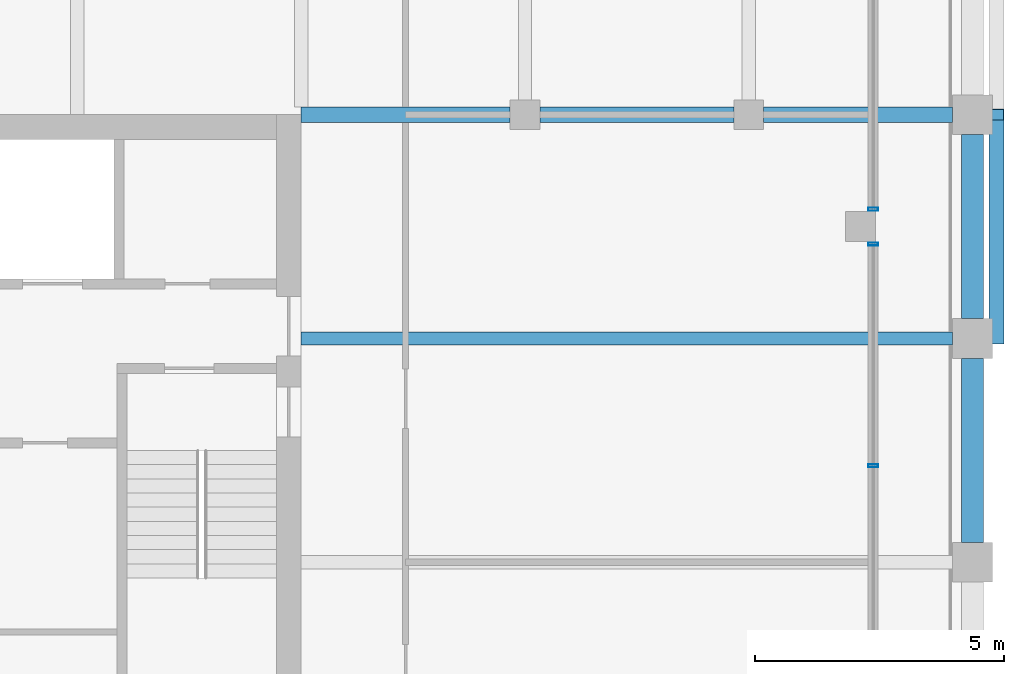
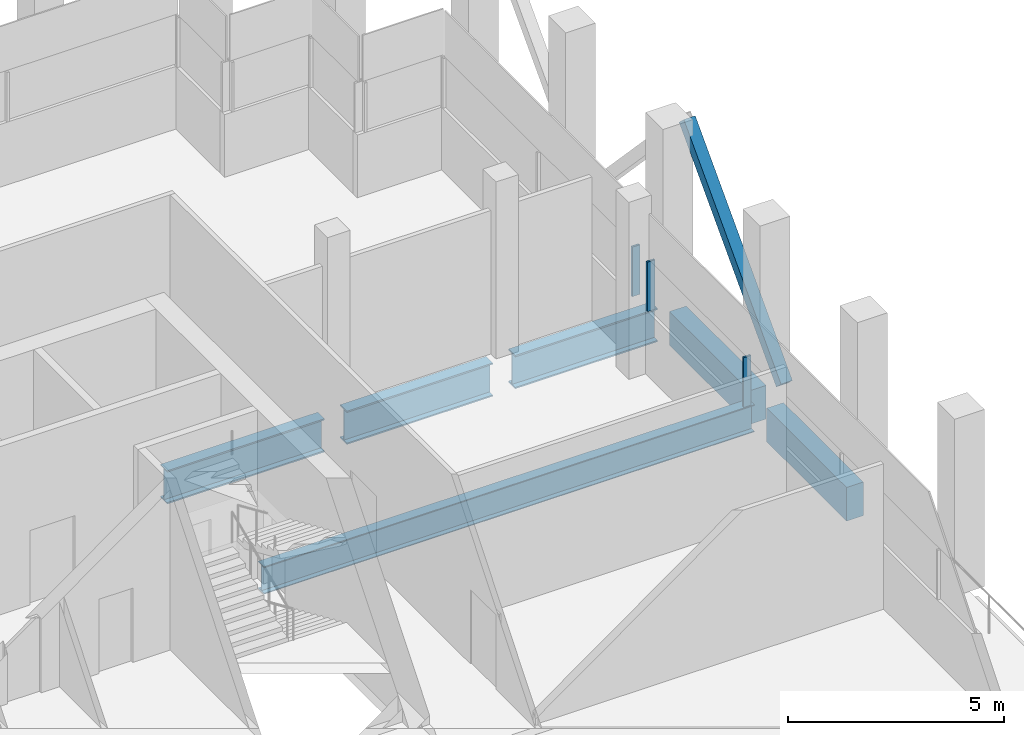
# One storey, part 11 of 21: 6 beams, 4 members, 2 elements without a shape of their own.
"""IFC4 building model written with IfcOpenShell, lengths in metres."""

import ifcopenshell
import ifcopenshell.guid

model = None  # the IFC model being written
_history = None  # IfcOwnerHistory: only IFC2X3 demands one
_inside = {}  # id of a spatial element -> (the spatial element, [elements in it])
_under = {}  # id of a project, library or spatial element -> (it, [spatial elements below it])
_declared = {}  # id of a project -> (the project, [libraries it declares])
_typed = {}  # id of a type object -> (the type object, [elements of that type])
_made_of = {}  # id of a material, layer set ... -> (it, [elements and type objects made of it])


def new_model(schema):
    """Start an empty IFC model of exactly this schema.

    Asked for "IFC4X3", IfcOpenShell would pick the latest addendum, in which some entities
    have other attributes; the version numbers below select the first issue.
    IFC2X3 requires an IfcOwnerHistory on every rooted entity: one is made here for all.
    """
    global model, _history
    if schema == "IFC4X3":
        model = ifcopenshell.file(schema_version=(4, 3, 0, 0))
    else:
        model = ifcopenshell.file(schema=schema)
    _inside.clear()
    _under.clear()
    _declared.clear()
    _typed.clear()
    _made_of.clear()
    _history = None
    if model.schema == "IFC2X3":
        org = make("IfcOrganization", Name="unknown")
        user = make(
            "IfcPersonAndOrganization",
            ThePerson=make("IfcPerson", FamilyName="unknown"),
            TheOrganization=org,
        )
        app = make(
            "IfcApplication",
            ApplicationDeveloper=org,
            Version="unknown",
            ApplicationFullName="unknown",
            ApplicationIdentifier="unknown",
        )
        _history = make(
            "IfcOwnerHistory",
            OwningUser=user,
            OwningApplication=app,
            ChangeAction="ADDED",
            CreationDate=0,
        )
    return model


def make(cls, **values):
    """One entity of the class cls with the attributes given. An attribute that is None is left unset."""
    return model.create_entity(
        cls, **{name: value for name, value in values.items() if value is not None}
    )


def rooted(cls, **values):
    """An entity with a GlobalId (a new one), such as an element, a storey or a relation."""
    return make(cls, GlobalId=ifcopenshell.guid.new(), OwnerHistory=_history, **values)


def si_unit(unit_type, name, prefix=None):
    """IfcSIUnit, for example si_unit("LENGTHUNIT", "METRE", prefix="MILLI")."""
    return make("IfcSIUnit", UnitType=unit_type, Prefix=prefix, Name=name)


def assignment(units):
    """IfcUnitAssignment: the units of a project."""
    return None if units is None else make("IfcUnitAssignment", Units=units)


def point(xyz):
    """IfcCartesianPoint."""
    return None if xyz is None else make("IfcCartesianPoint", Coordinates=xyz)


def direction(xyz):
    """IfcDirection."""
    return None if xyz is None else make("IfcDirection", DirectionRatios=xyz)


def frame(location, z_axis=None, x_axis=None):
    """IfcAxis2Placement3D, a coordinate frame: its origin and axes. An axis left out is left unset."""
    return make(
        "IfcAxis2Placement3D",
        Location=point(location),
        Axis=direction(z_axis),
        RefDirection=direction(x_axis),
    )


def frame_2d(location, x_axis=None):
    """IfcAxis2Placement2D, a coordinate frame in the plane: its origin and x axis."""
    return make(
        "IfcAxis2Placement2D", Location=point(location), RefDirection=direction(x_axis)
    )


def origin():
    """The frame at (0, 0, 0) with its axes left unset."""
    return frame((0.0, 0.0, 0.0))


def origin_2d():
    """The frame at (0, 0) in the plane with its x axis left unset."""
    return frame_2d((0.0, 0.0))


def place(relative_to, where):
    """IfcLocalPlacement: puts the frame where relative to a parent placement (None: the world)."""
    return make(
        "IfcLocalPlacement", PlacementRelTo=relative_to, RelativePlacement=where
    )


def context(
    kind, dimensions, precision=None, world=None, true_north=None, identifier=None
):
    """IfcGeometricRepresentationContext, for example the 3D "Model" context."""
    return make(
        "IfcGeometricRepresentationContext",
        ContextIdentifier=identifier,
        ContextType=kind,
        CoordinateSpaceDimension=dimensions,
        Precision=precision,
        WorldCoordinateSystem=world,
        TrueNorth=true_north,
    )


def subcontext(parent, identifier, kind, view, scale=None):
    """IfcGeometricRepresentationSubContext, for example "Body" below "Model"."""
    return make(
        "IfcGeometricRepresentationSubContext",
        ContextIdentifier=identifier,
        ContextType=kind,
        ParentContext=parent,
        TargetScale=scale,
        TargetView=view,
    )


def project(units=None, contexts=None):
    """IfcProject with its units and contexts."""
    return rooted(
        "IfcProject",
        Name="project",
        RepresentationContexts=contexts,
        UnitsInContext=assignment(units),
    )


def spatial(cls, under=None, at=None, **own):
    """A site, building, storey or space (cls), placed at a placement, below another one or the project."""
    s = rooted(cls, ObjectPlacement=at, **own)
    if under is not None:
        _under.setdefault(under.id(), (under, []))[1].append(s)
    return s


def profile(cls, at=None, kind="AREA", **sizes):
    """A parametric profile (cls). Its sizes go by their IFC names, for example OverallWidth=200.0."""
    return make(cls, ProfileType=kind, Position=at, **sizes)


def rectangle(**sizes):
    """IfcRectangleProfileDef."""
    return profile("IfcRectangleProfileDef", **sizes)


def hollow_rectangle(**sizes):
    """IfcRectangleHollowProfileDef."""
    return profile("IfcRectangleHollowProfileDef", **sizes)


def i_section(**sizes):
    """IfcIShapeProfileDef."""
    return profile("IfcIShapeProfileDef", **sizes)


def extrude(swept, where, along, depth):
    """IfcExtrudedAreaSolid: the profile swept, set in the frame where, extruded along a direction by depth."""
    return make(
        "IfcExtrudedAreaSolid",
        SweptArea=swept,
        Position=where,
        ExtrudedDirection=direction(along),
        Depth=depth,
    )


def shape(context_of_items, identifier, shape_type, items):
    """IfcShapeRepresentation: the items that make up one representation, for example the "Body"."""
    return make(
        "IfcShapeRepresentation",
        ContextOfItems=context_of_items,
        RepresentationIdentifier=identifier,
        RepresentationType=shape_type,
        Items=items,
    )


def material(Name=None, Category=None):
    """IfcMaterial."""
    return make("IfcMaterial", Name=Name, Category=Category)


def material_profile(
    of_material, cross_section, Name=None, Category=None, Priority=None
):
    """IfcMaterialProfile: a cross section and its material."""
    return make(
        "IfcMaterialProfile",
        Name=Name,
        Material=of_material,
        Profile=cross_section,
        Priority=Priority,
        Category=Category,
    )


def profile_set(profiles, Name=None, composite=None):
    """IfcMaterialProfileSet."""
    return make(
        "IfcMaterialProfileSet",
        Name=Name,
        MaterialProfiles=profiles,
        CompositeProfile=composite,
    )


def made_of(thing, what):
    """Note that an element or type object is made of a material, layer set ...; save() writes the relation."""
    if what is not None:
        _made_of.setdefault(what.id(), (what, []))[1].append(thing)
    return thing


def type_object(cls, material=None, **own):
    """A type object (cls), such as IfcWallType, which elements share."""
    return made_of(rooted(cls, **own), material)


def element(
    cls,
    number,
    at=None,
    inside=None,
    cuts=None,
    type_object=None,
    material=None,
    context=None,
    identifier="Body",
    shape_type=None,
    held_by="IfcProductDefinitionShape",
    body=None,
    shapes=None,
    **own,
):
    """One element of the class cls, such as IfcWall. Its Tag is "e" and its number.

    at: its placement. inside: the storey or other place that contains it. cuts: it is an
    opening in that element (IfcRelVoidsElement). A single representation is given by context,
    identifier, shape_type and body (its items); several are given by shapes. held_by: the class
    of the entity that holds the representations. save() writes the other relations.
    """
    e = rooted(cls, Tag="e%d" % number, ObjectPlacement=at, **own)
    if body is not None:
        shapes = [shape(context, identifier, shape_type, body)]
    if shapes is not None:
        e.Representation = make(held_by, Representations=shapes)
    if inside is not None:
        _inside.setdefault(inside.id(), (inside, []))[1].append(e)
    if cuts is not None:
        rooted(
            "IfcRelVoidsElement", RelatingBuildingElement=cuts, RelatedOpeningElement=e
        )
    if type_object is not None:
        _typed.setdefault(type_object.id(), (type_object, []))[1].append(e)
    return made_of(e, material)


def aggregate(whole, parts):
    """IfcRelAggregates: a whole, such as a stair, and the parts it consists of."""
    return rooted("IfcRelAggregates", RelatingObject=whole, RelatedObjects=parts)


def save(model, path):
    """Write the relations noted so far, then the file.

    IfcRelAggregates (storeys below a building ...), IfcRelContainedInSpatialStructure (elements
    in a storey), IfcRelDefinesByType, IfcRelAssociatesMaterial and IfcRelDeclares: one each for
    every whole, place, type object, material and project.
    """
    for whole, parts in _under.values():
        aggregate(whole, parts)
    for where, things in _inside.values():
        rooted(
            "IfcRelContainedInSpatialStructure",
            RelatedElements=things,
            RelatingStructure=where,
        )
    for kind, things in _typed.values():
        rooted("IfcRelDefinesByType", RelatedObjects=things, RelatingType=kind)
    for what, things in _made_of.values():
        rooted("IfcRelAssociatesMaterial", RelatedObjects=things, RelatingMaterial=what)
    for by, libraries in _declared.values():
        rooted("IfcRelDeclares", RelatingContext=by, RelatedDefinitions=libraries)
    model.write(path)


model = new_model("IFC4")

# Units and contexts
model_context = context("Model", 3, precision=1e-05, world=origin(), true_north=direction((0.0, 1.0)))
body_context = subcontext(model_context, "Body", "Model", "MODEL_VIEW")
ifc_project = project(units=[si_unit("LENGTHUNIT", "METRE"), si_unit("AREAUNIT", "SQUARE_METRE"), si_unit("VOLUMEUNIT", "CUBIC_METRE"), si_unit("PLANEANGLEUNIT", "RADIAN"), si_unit("MASSUNIT", "GRAM", prefix="KILO")], contexts=[model_context])

# Site, building, storey
site_placement = place(None, origin())
site = spatial("IfcSite", under=ifc_project, at=site_placement, CompositionType="ELEMENT")
building_placement = place(site_placement, origin())
building = spatial("IfcBuilding", under=site, at=building_placement, Name="Altepetl Exchange Towers", CompositionType="ELEMENT")
storey_placement = place(building_placement, frame((0.0, 0.0, 246.0)))
storey = spatial("IfcBuildingStorey", under=building, at=storey_placement, Name="L63 Refuge", CompositionType="ELEMENT", Elevation=246.0)

# Member
ifc_material_1 = material(Name="Steel S355", Category="steel")
ifc_material_profile_1 = material_profile(ifc_material_1, hollow_rectangle(XDim=0.304931640625, YDim=0.304931640625, WallThickness=0.01171875, at=origin_2d()), Name="HSS305X305X12.7")
ifc_profile_set_1 = profile_set([ifc_material_profile_1], Name="Steel S355")
member_type_1 = type_object("IfcMemberType", Name="Belt diagonal HSS305X305X12.7", PredefinedType="BRACE", material=ifc_profile_set_1)
member_1_placement = place(storey_placement, frame((72.47998046875, 54.0, 0.0), z_axis=(0.0, 0.687744647911, 0.725952683906), x_axis=(-1.0, 0.0, 0.0)))
element("IfcMember", 1, at=member_1_placement, inside=storey, type_object=member_type_1, Name="brc:A:L63:010", PredefinedType="BRACE", context=body_context, shape_type="SweptSolid", body=[
    extrude(hollow_rectangle(XDim=0.304931640625, YDim=0.304931640625, WallThickness=0.01171875, at=origin_2d()), origin(), (0.0, 0.0, 1.0), 6.543212890625),
])

# Beams
ifc_material_profile_2 = material_profile(ifc_material_1, i_section(OverallWidth=0.26806640625, OverallDepth=0.77392578125, WebThickness=0.015380859375, FlangeThickness=0.025390625, at=origin_2d()), Name="W30X132")
ifc_profile_set_2 = profile_set([ifc_material_profile_2], Name="Steel S355")
beam_type_1 = type_object("IfcBeamType", Name="Floor beam W30X132", PredefinedType="BEAM", material=ifc_profile_set_2)
beam_1_placement = place(storey_placement, frame((58.5, 54.0, -0.5869140625), z_axis=(1.0, 0.0, 0.0), x_axis=(0.0, 1.0, 0.0)))
element("IfcBeam", 2, at=beam_1_placement, inside=storey, type_object=beam_type_1, Name="bm:A:L63:011", PredefinedType="BEAM", context=body_context, shape_type="SweptSolid", body=[
    extrude(i_section(OverallWidth=0.26806640625, OverallDepth=0.77392578125, WebThickness=0.015380859375, FlangeThickness=0.025390625, at=origin_2d()), origin(), (0.0, 0.0, 1.0), 13.10009765625),
])
ifc_material_profile_3 = material_profile(ifc_material_1, i_section(OverallWidth=0.30810546875, OverallDepth=0.943115234375, WebThickness=0.022216796875, FlangeThickness=0.039794921875, at=origin_2d()), Name="W36X232")
ifc_profile_set_3 = profile_set([ifc_material_profile_3], Name="Steel S355")
beam_type_2 = type_object("IfcBeamType", Name="Girder W36X232", PredefinedType="BEAM", material=ifc_profile_set_3)
beam_2_placement = place(storey_placement, frame((58.5, 58.5, -0.67138671875), z_axis=(1.0, 0.0, 0.0), x_axis=(0.0, 1.0, 0.0)))
element("IfcBeam", 3, at=beam_2_placement, inside=storey, type_object=beam_type_2, Name="gd:A:L63:000", PredefinedType="BEAM", context=body_context, shape_type="SweptSolid", body=[
    extrude(i_section(OverallWidth=0.30810546875, OverallDepth=0.943115234375, WebThickness=0.022216796875, FlangeThickness=0.039794921875, at=origin_2d()), origin(), (0.0, 0.0, 1.0), 4.199951171875),
])
beam_3_placement = place(storey_placement, frame((63.300048828125, 58.5, -0.67138671875), z_axis=(1.0, 0.0, 0.0), x_axis=(0.0, 1.0, 0.0)))
element("IfcBeam", 4, at=beam_3_placement, inside=storey, type_object=beam_type_2, Name="gd:A:L63:001", PredefinedType="BEAM", context=body_context, shape_type="SweptSolid", body=[
    extrude(i_section(OverallWidth=0.30810546875, OverallDepth=0.943115234375, WebThickness=0.022216796875, FlangeThickness=0.039794921875, at=origin_2d()), origin(), (0.0, 0.0, 1.0), 3.89990234375),
])
beam_4_placement = place(storey_placement, frame((67.800048828125, 58.5, -0.67138671875), z_axis=(1.0, 0.0, 0.0), x_axis=(0.0, 1.0, 0.0)))
element("IfcBeam", 5, at=beam_4_placement, inside=storey, type_object=beam_type_2, Name="gd:A:L63:002", PredefinedType="BEAM", context=body_context, shape_type="SweptSolid", body=[
    extrude(i_section(OverallWidth=0.30810546875, OverallDepth=0.943115234375, WebThickness=0.022216796875, FlangeThickness=0.039794921875, at=origin_2d()), origin(), (0.0, 0.0, 1.0), 3.800048828125),
])

# Curtain wall, members
ifc_material_2 = material(Name="Aluminium 6063-T6 glazing", Category="aluminium")
curtain_wall_type = type_object("IfcCurtainWallType", Name="Refuge slit glazing system", PredefinedType="NOTDEFINED", material=ifc_material_2)
curtain_wall_1_placement = place(storey_placement, origin())
curtain_wall_1 = element("IfcCurtainWall", 6, at=curtain_wall_1_placement, inside=storey, type_object=curtain_wall_type, Name="CW3 run", PredefinedType="NOTDEFINED")
ifc_material_3 = material(Name="Aluminium 6063-T6", Category="aluminium")
ifc_material_profile_4 = material_profile(ifc_material_3, hollow_rectangle(XDim=0.06005859375, YDim=0.199951171875, WallThickness=0.0029296875, at=origin_2d()), Name="Mullion 60x200 aluminium")
ifc_profile_set_4 = profile_set([ifc_material_profile_4], Name="Aluminium 6063-T6")
member_type_2 = type_object("IfcMemberType", Name="Mullion 60x200 aluminium", PredefinedType="MULLION", material=ifc_profile_set_4)
member_2_placement = place(storey_placement, frame((70.0, 51.444091796875, 1.800048828125), z_axis=(0.0, 0.0, 1.0), x_axis=(0.0, 1.0, 0.0)))
member_2 = element("IfcMember", 7, at=member_2_placement, type_object=member_type_2, Name="MU2 mullion", PredefinedType="MULLION", context=body_context, shape_type="SweptSolid", body=[
    extrude(hollow_rectangle(XDim=0.06005859375, YDim=0.199951171875, WallThickness=0.0029296875, at=origin_2d()), origin(), (0.0, 0.0, 1.0), 1.39990234375),
])
member_3_placement = place(storey_placement, frame((70.0, 55.89990234375, 1.800048828125), z_axis=(0.0, 0.0, 1.0), x_axis=(0.0, 1.0, 0.0)))
member_3 = element("IfcMember", 8, at=member_3_placement, type_object=member_type_2, Name="MU2 mullion", PredefinedType="MULLION", context=body_context, shape_type="SweptSolid", body=[
    extrude(hollow_rectangle(XDim=0.06005859375, YDim=0.199951171875, WallThickness=0.0029296875, at=origin_2d()), origin(), (0.0, 0.0, 1.0), 1.39990234375),
])
aggregate(curtain_wall_1, [member_2, member_3])

# Curtain wall, member
curtain_wall_2_placement = place(storey_placement, origin())
curtain_wall_2 = element("IfcCurtainWall", 9, at=curtain_wall_2_placement, inside=storey, type_object=curtain_wall_type, Name="CW3 run", PredefinedType="NOTDEFINED")
member_4_placement = place(storey_placement, frame((70.0, 56.60009765625, 1.800048828125), z_axis=(0.0, 0.0, 1.0), x_axis=(0.0, 1.0, 0.0)))
member_4 = element("IfcMember", 10, at=member_4_placement, type_object=member_type_2, Name="MU2 mullion", PredefinedType="MULLION", context=body_context, shape_type="SweptSolid", body=[
    extrude(hollow_rectangle(XDim=0.06005859375, YDim=0.199951171875, WallThickness=0.0029296875, at=origin_2d()), origin(), (0.0, 0.0, 1.0), 1.39990234375),
])
aggregate(curtain_wall_2, [member_4])

# Beams
ifc_material_4 = material(Name="Concrete C50/60 precast with cantera amarilla facing", Category="concrete")
ifc_material_profile_5 = material_profile(ifc_material_4, rectangle(XDim=0.449951171875, YDim=0.949951171875, at=origin_2d()), Name="450 x 950")
ifc_profile_set_5 = profile_set([ifc_material_profile_5], Name="Concrete C50/60 precast with cantera amarilla facing")
beam_type_3 = type_object("IfcBeamType", Name="Spandrel beam 450x950 cantera amarilla", PredefinedType="SPANDREL", material=ifc_profile_set_5)
for number, where, z_axis, x_axis, name in (
    (11, (72.0, 49.89990234375, -0.675048828125), (0.0, 1.0, 0.0), (-1.0, 0.0, 0.0), "sp:A:L63:016"),
    (12, (72.0, 54.39990234375, -0.675048828125), (0.0, 1.0, 0.0), (-1.0, 0.0, 0.0), "sp:A:L63:017"),
):
    element("IfcBeam", number, at=place(storey_placement, frame(where, z_axis=z_axis, x_axis=x_axis)), inside=storey, type_object=beam_type_3, Name=name, PredefinedType="SPANDREL", context=body_context, shape_type="SweptSolid", body=[
        extrude(rectangle(XDim=0.449951171875, YDim=0.949951171875, at=origin_2d()), origin(), (0.0, 0.0, 1.0), 3.7001953125),
    ])

save(model, "model.ifc")
